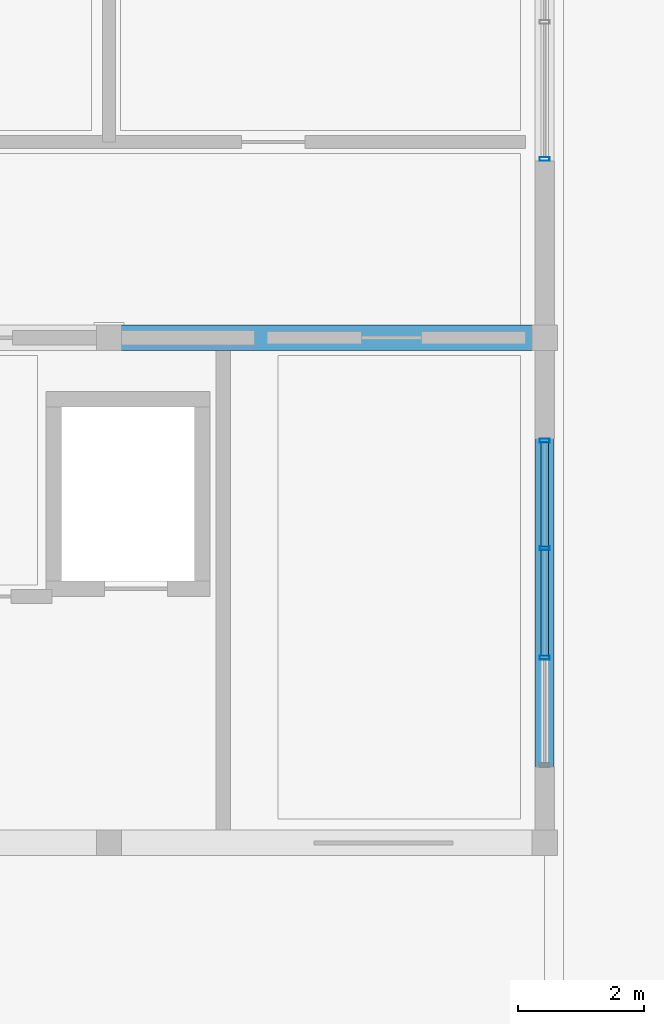
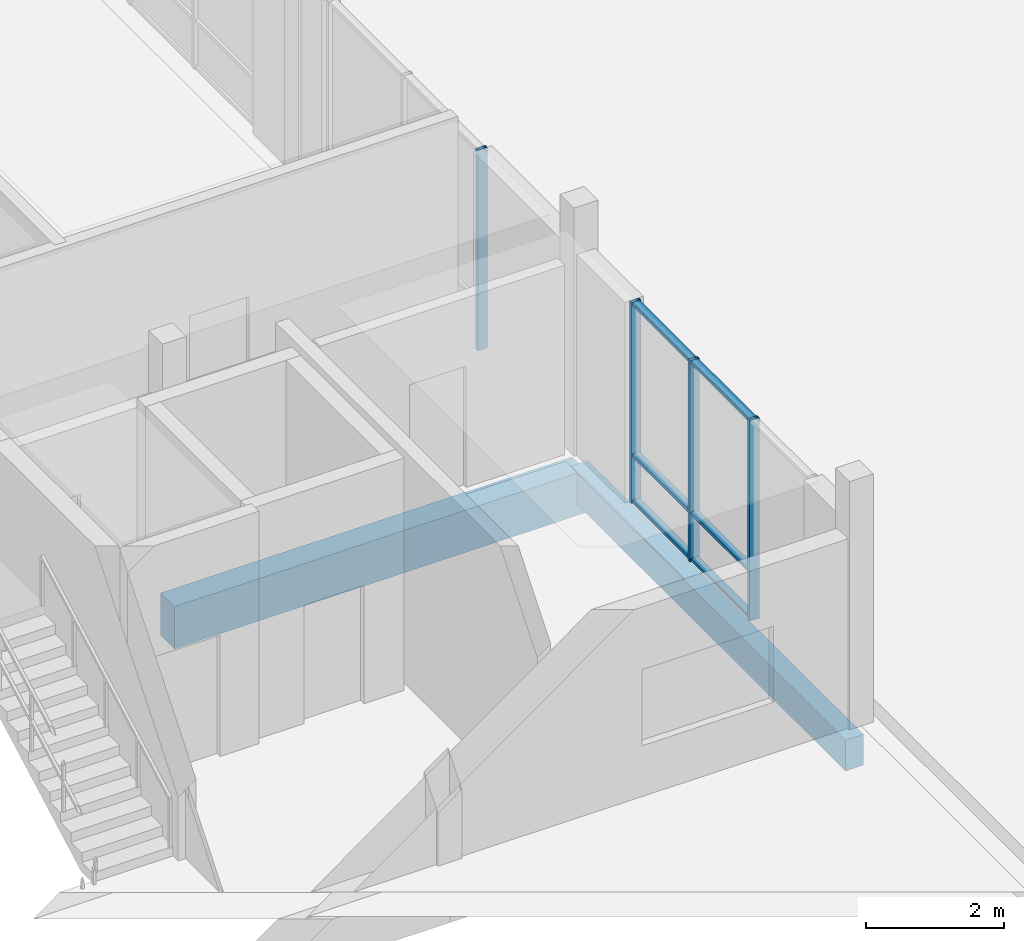
# One storey, part 50 of 233: 10 members, 2 beams, 2 elements without a shape of their own.
"""IFC4 building model written with IfcOpenShell, lengths in metres."""

from ifc_helpers import new_model, si_unit, direction, frame, origin, origin_2d, place, context, subcontext, project, spatial, rectangle, hollow_rectangle, extrude, material, material_profile, profile_set, type_object, element, aggregate, save


model = new_model("IFC4")

# Units and contexts
model_context = context("Model", 3, precision=1e-05, world=origin(), true_north=direction((0.0, 1.0)))
body_context = subcontext(model_context, "Body", "Model", "MODEL_VIEW")
ifc_project = project(units=[si_unit("LENGTHUNIT", "METRE"), si_unit("AREAUNIT", "SQUARE_METRE"), si_unit("VOLUMEUNIT", "CUBIC_METRE"), si_unit("PLANEANGLEUNIT", "RADIAN"), si_unit("MASSUNIT", "GRAM", prefix="KILO")], contexts=[model_context])

# Site, building, storey
site_placement = place(None, origin())
site = spatial("IfcSite", under=ifc_project, at=site_placement, CompositionType="ELEMENT")
building_placement = place(site_placement, origin())
building = spatial("IfcBuilding", under=site, at=building_placement, Name="Zavelmont Quarter", CompositionType="ELEMENT")
storey_placement = place(building_placement, origin())
storey = spatial("IfcBuildingStorey", under=building, at=storey_placement, Name="L00", CompositionType="ELEMENT", Elevation=0.0)

# Beams
ifc_material_1 = material(Name="Concrete C35/45", Category="concrete")
ifc_material_profile_1 = material_profile(ifc_material_1, rectangle(XDim=0.300048828125, YDim=0.550048828125, at=origin_2d()), Name="RC300X550")
ifc_profile_set_1 = profile_set([ifc_material_profile_1], Name="Concrete C35/45")
beam_type_1 = type_object("IfcBeamType", Name="BM02", PredefinedType="SPANDREL", material=ifc_profile_set_1)
beam_1_placement = place(storey_placement, frame((20.699951171875, 30.0, -0.594970703125), z_axis=(0.0, 1.0, 0.0), x_axis=(-1.0, 0.0, 0.0)))
element("IfcBeam", 1, at=beam_1_placement, inside=storey, type_object=beam_type_1, Name="L00 beam BM02 4/F to 4/G", PredefinedType="SPANDREL", context=body_context, shape_type="SweptSolid", body=[
    extrude(rectangle(XDim=0.300048828125, YDim=0.550048828125, at=origin_2d()), origin(), (0.0, 0.0, 1.0), 8.0),
])
ifc_material_2 = material(Name="Concrete C40/50", Category="concrete")
ifc_material_profile_2 = material_profile(ifc_material_2, rectangle(XDim=0.39990234375, YDim=0.75, at=origin_2d()), Name="RC400X750")
ifc_profile_set_2 = profile_set([ifc_material_profile_2], Name="Concrete C40/50")
beam_type_2 = type_object("IfcBeamType", Name="BM05", PredefinedType="BEAM", material=ifc_profile_set_2)
beam_2_placement = place(storey_placement, frame((13.800048828125, 38.0, -0.695068359375), z_axis=(1.0, 0.0, 0.0), x_axis=(0.0, 1.0, 0.0)))
element("IfcBeam", 2, at=beam_2_placement, inside=storey, type_object=beam_type_2, Name="L00 beam BM05 3/G to 4/G", PredefinedType="BEAM", context=body_context, shape_type="SweptSolid", body=[
    extrude(rectangle(XDim=0.39990234375, YDim=0.75, at=origin_2d()), origin(), (0.0, 0.0, 1.0), 6.89990234375),
])

# Curtain wall, members
ifc_material_3 = material(Name="Thermally broken aluminium and double low-E safety glazing", Category="aluminium")
curtain_wall_type_1 = type_object("IfcCurtainWallType", Name="CW-520X356", PredefinedType="NOTDEFINED", material=ifc_material_3)
curtain_wall_1_placement = place(storey_placement, origin())
curtain_wall_1 = element("IfcCurtainWall", 3, at=curtain_wall_1_placement, inside=storey, type_object=curtain_wall_type_1, Name="L00 unitised curtain wall CW-520X356", PredefinedType="NOTDEFINED")
ifc_material_4 = material(Name="Powder-coated aluminium EN AW-6063-T6", Category="aluminium")
ifc_material_profile_3 = material_profile(ifc_material_4, hollow_rectangle(XDim=0.06005859375, YDim=0.159912109375, WallThickness=0.00390625, at=origin_2d()), Name="CWM60X160")
ifc_profile_set_3 = profile_set([ifc_material_profile_3], Name="Powder-coated aluminium EN AW-6063-T6")
member_type_1 = type_object("IfcMemberType", Name="CWM01", PredefinedType="MULLION", material=ifc_profile_set_3)
member_1_placement = place(storey_placement, frame((20.699951171875, 32.933349609375, 0.0), z_axis=(0.0, 0.0, 1.0), x_axis=(0.0, 1.0, 0.0)))
member_1 = element("IfcMember", 4, at=member_1_placement, type_object=member_type_1, Name="CW-520X356 mullion 2", PredefinedType="MULLION", context=body_context, shape_type="SweptSolid", body=[
    extrude(hollow_rectangle(XDim=0.06005859375, YDim=0.159912109375, WallThickness=0.00390625, at=origin_2d()), origin(), (0.0, 0.0, 1.0), 3.56005859375),
])
member_2_placement = place(storey_placement, frame((20.699951171875, 34.666748046875, 0.0), z_axis=(0.0, 0.0, 1.0), x_axis=(0.0, 1.0, 0.0)))
member_2 = element("IfcMember", 5, at=member_2_placement, type_object=member_type_1, Name="CW-520X356 mullion 3", PredefinedType="MULLION", context=body_context, shape_type="SweptSolid", body=[
    extrude(hollow_rectangle(XDim=0.06005859375, YDim=0.159912109375, WallThickness=0.00390625, at=origin_2d()), origin(), (0.0, 0.0, 1.0), 3.56005859375),
])
member_3_placement = place(storey_placement, frame((20.699951171875, 36.3701171875, 0.0), z_axis=(0.0, 0.0, 1.0), x_axis=(0.0, 1.0, 0.0)))
member_3 = element("IfcMember", 6, at=member_3_placement, type_object=member_type_1, Name="CW-520X356 mullion 4", PredefinedType="MULLION", context=body_context, shape_type="SweptSolid", body=[
    extrude(hollow_rectangle(XDim=0.06005859375, YDim=0.159912109375, WallThickness=0.00390625, at=origin_2d()), origin(), (0.0, 0.0, 1.0), 3.56005859375),
])

# Curtain wall, member
curtain_wall_type_2 = type_object("IfcCurtainWallType", Name="CW-440X356", PredefinedType="NOTDEFINED", material=ifc_material_3)
curtain_wall_2_placement = place(storey_placement, origin())
curtain_wall_2 = element("IfcCurtainWall", 7, at=curtain_wall_2_placement, inside=storey, type_object=curtain_wall_type_2, Name="L00 unitised curtain wall CW-440X356", PredefinedType="NOTDEFINED")
member_4_placement = place(storey_placement, frame((20.699951171875, 40.830078125, 0.0), z_axis=(0.0, 0.0, 1.0), x_axis=(0.0, 1.0, 0.0)))
member_4 = element("IfcMember", 8, at=member_4_placement, type_object=member_type_1, Name="CW-440X356 mullion 1", PredefinedType="MULLION", context=body_context, shape_type="SweptSolid", body=[
    extrude(hollow_rectangle(XDim=0.06005859375, YDim=0.159912109375, WallThickness=0.00390625, at=origin_2d()), origin(), (0.0, 0.0, 1.0), 3.56005859375),
])
aggregate(curtain_wall_2, [member_4])

# Member
ifc_material_profile_4 = material_profile(ifc_material_4, hollow_rectangle(XDim=0.1201171875, YDim=0.06005859375, WallThickness=0.00390625, at=origin_2d()), Name="CWT60X120")
ifc_profile_set_4 = profile_set([ifc_material_profile_4], Name="Powder-coated aluminium EN AW-6063-T6")
member_type_2 = type_object("IfcMemberType", Name="CWT01", PredefinedType="NOTDEFINED", material=ifc_profile_set_4)
member_5_placement = place(storey_placement, frame((20.699951171875, 32.96337890625, 0.030029296875), z_axis=(0.0, 1.0, 0.0), x_axis=(-1.0, 0.0, 0.0)))
member_5 = element("IfcMember", 9, at=member_5_placement, type_object=member_type_2, Name="CW-520X356 transom 2.1", ObjectType="TRANSOM", PredefinedType="USERDEFINED", context=body_context, shape_type="SweptSolid", body=[
    extrude(hollow_rectangle(XDim=0.1201171875, YDim=0.06005859375, WallThickness=0.00390625, at=origin_2d()), origin(), (0.0, 0.0, 1.0), 1.67333984375),
])

member_6_placement = place(storey_placement, frame((20.699951171875, 32.96337890625, 0.85009765625), z_axis=(0.0, 1.0, 0.0), x_axis=(-1.0, 0.0, 0.0)))
member_6 = element("IfcMember", 10, at=member_6_placement, type_object=member_type_2, Name="CW-520X356 transom 2.2", ObjectType="TRANSOM", PredefinedType="USERDEFINED", context=body_context, shape_type="SweptSolid", body=[
    extrude(hollow_rectangle(XDim=0.1201171875, YDim=0.06005859375, WallThickness=0.00390625, at=origin_2d()), origin(), (0.0, 0.0, 1.0), 1.67333984375),
])

member_7_placement = place(storey_placement, frame((20.699951171875, 32.96337890625, 3.530029296875), z_axis=(0.0, 1.0, 0.0), x_axis=(-1.0, 0.0, 0.0)))
member_7 = element("IfcMember", 11, at=member_7_placement, type_object=member_type_2, Name="CW-520X356 transom 2.3", ObjectType="TRANSOM", PredefinedType="USERDEFINED", context=body_context, shape_type="SweptSolid", body=[
    extrude(hollow_rectangle(XDim=0.1201171875, YDim=0.06005859375, WallThickness=0.00390625, at=origin_2d()), origin(), (0.0, 0.0, 1.0), 1.67333984375),
])

member_8_placement = place(storey_placement, frame((20.699951171875, 34.69677734375, 0.030029296875), z_axis=(0.0, 1.0, 0.0), x_axis=(-1.0, 0.0, 0.0)))
member_8 = element("IfcMember", 12, at=member_8_placement, type_object=member_type_2, Name="CW-520X356 transom 3.1", ObjectType="TRANSOM", PredefinedType="USERDEFINED", context=body_context, shape_type="SweptSolid", body=[
    extrude(hollow_rectangle(XDim=0.1201171875, YDim=0.06005859375, WallThickness=0.00390625, at=origin_2d()), origin(), (0.0, 0.0, 1.0), 1.643310546875),
])

member_9_placement = place(storey_placement, frame((20.699951171875, 34.69677734375, 0.85009765625), z_axis=(0.0, 1.0, 0.0), x_axis=(-1.0, 0.0, 0.0)))
member_9 = element("IfcMember", 13, at=member_9_placement, type_object=member_type_2, Name="CW-520X356 transom 3.2", ObjectType="TRANSOM", PredefinedType="USERDEFINED", context=body_context, shape_type="SweptSolid", body=[
    extrude(hollow_rectangle(XDim=0.1201171875, YDim=0.06005859375, WallThickness=0.00390625, at=origin_2d()), origin(), (0.0, 0.0, 1.0), 1.643310546875),
])

member_10_placement = place(storey_placement, frame((20.699951171875, 34.69677734375, 3.530029296875), z_axis=(0.0, 1.0, 0.0), x_axis=(-1.0, 0.0, 0.0)))
member_10 = element("IfcMember", 14, at=member_10_placement, type_object=member_type_2, Name="CW-520X356 transom 3.3", ObjectType="TRANSOM", PredefinedType="USERDEFINED", context=body_context, shape_type="SweptSolid", body=[
    extrude(hollow_rectangle(XDim=0.1201171875, YDim=0.06005859375, WallThickness=0.00390625, at=origin_2d()), origin(), (0.0, 0.0, 1.0), 1.643310546875),
])

aggregate(curtain_wall_1, [member_1, member_2, member_3, member_5, member_6, member_7, member_8, member_9, member_10])

save(model, "model.ifc")
